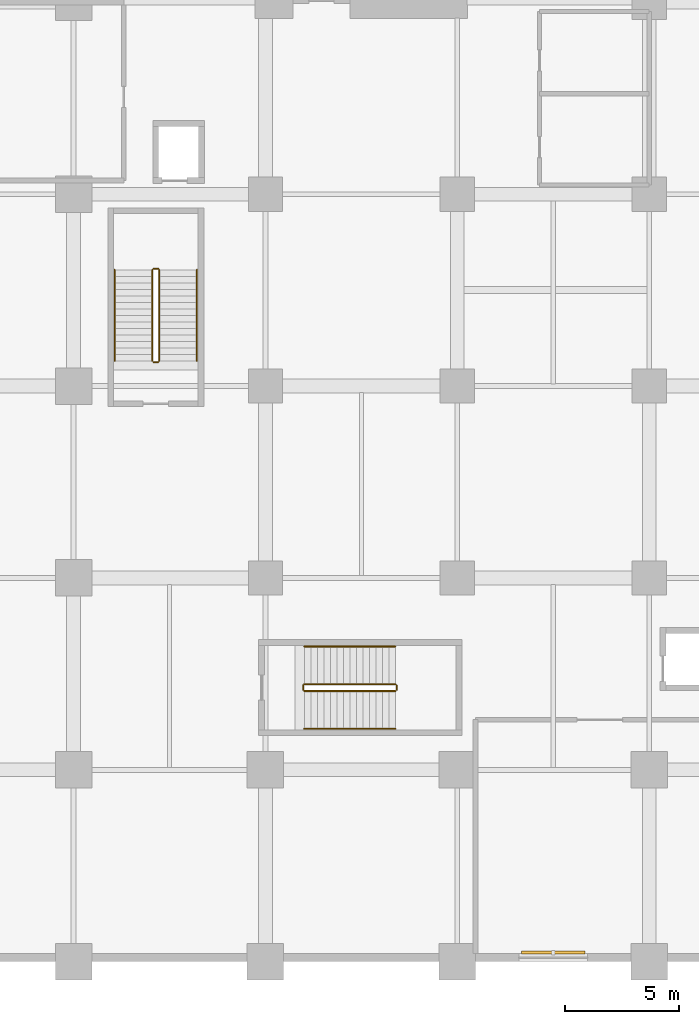
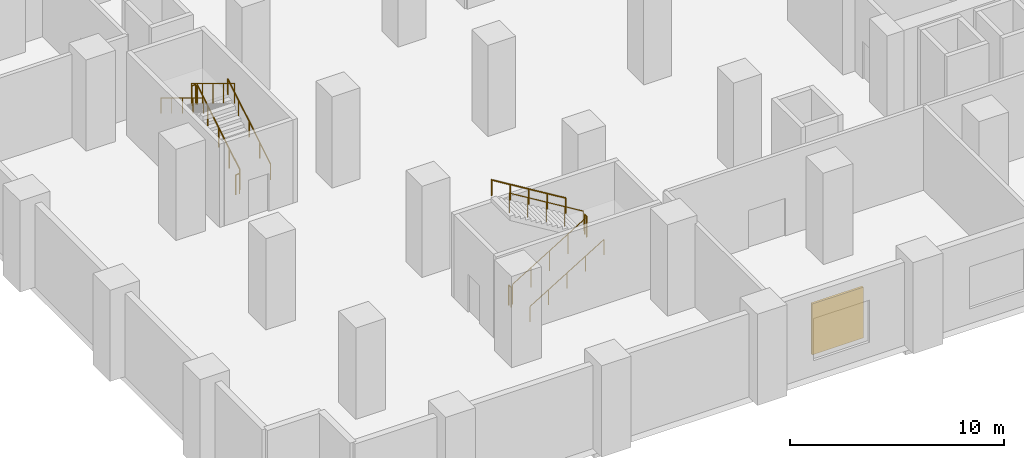
# One storey, part 20 of 23: 12 railings, 1 shading device.
"""IFC4 building model written with IfcOpenShell, lengths in metres."""

from ifc_helpers import new_model, si_unit, direction, frame, origin, origin_2d, place, context, subcontext, project, spatial, rectangle, circle, extrude, material, layer, layer_set, type_object, element, save


model = new_model("IFC4")

# Units and contexts
model_context = context("Model", 3, precision=1e-05, world=origin(), true_north=direction((0.0, 1.0)))
body_context = subcontext(model_context, "Body", "Model", "MODEL_VIEW")
ifc_project = project(units=[si_unit("LENGTHUNIT", "METRE"), si_unit("AREAUNIT", "SQUARE_METRE"), si_unit("VOLUMEUNIT", "CUBIC_METRE"), si_unit("PLANEANGLEUNIT", "RADIAN"), si_unit("MASSUNIT", "GRAM", prefix="KILO")], contexts=[model_context])

# Site, building, storey
site_placement = place(None, origin())
site = spatial("IfcSite", under=ifc_project, at=site_placement, CompositionType="ELEMENT")
building_placement = place(site_placement, origin())
building = spatial("IfcBuilding", under=site, at=building_placement, Name="Koriwani Terraces Tower", CompositionType="ELEMENT")
storey_placement = place(building_placement, frame((0.0, 0.0, 20.800048828125)))
storey = spatial("IfcBuildingStorey", under=building, at=storey_placement, Name="L04", CompositionType="ELEMENT", Elevation=20.800048828125)

# Railings
ifc_material_1 = material(Name="Steel ASTM A572 Grade 50", Category="steel")
railing_type_1 = type_object("IfcRailingType", Name="GUARD_STAIR_WELL_1120", PredefinedType="GUARDRAIL", material=ifc_material_1)
railing_1_placement = place(storey_placement, frame((12.14990234375, 26.300048828125, 0.17333984375)))
element("IfcRailing", 1, at=railing_1_placement, inside=storey, type_object=railing_type_1, Name="L04 ST-P1 stair guard 1", PredefinedType="GUARDRAIL", context=body_context, shape_type="SweptSolid", body=[
    extrude(circle(Radius=0.02392578125, at=origin_2d()), frame((0.0, 0.0, 1.1259765625), z_axis=(0.0, 0.854405443041, 0.519606908058), x_axis=(-1.0, 0.0, 0.0)), (0.0, 0.0, 1.0), 4.669921875),
    extrude(circle(Radius=0.02099609375, at=origin_2d()), origin(), (0.0, 0.0, 1.0), 1.101806640625),
    extrude(circle(Radius=0.02099609375, at=origin_2d()), frame((0.0, 0.99755859375, 0.606689453125)), (0.0, 0.0, 1.0), 1.101806640625),
    extrude(circle(Radius=0.02099609375, at=origin_2d()), frame((0.0, 1.9951171875, 1.21337890625)), (0.0, 0.0, 1.0), 1.101806640625),
    extrude(circle(Radius=0.02099609375, at=origin_2d()), frame((0.0, 2.992431640625, 1.81982421875)), (0.0, 0.0, 1.0), 1.101806640625),
    extrude(circle(Radius=0.02099609375, at=origin_2d()), frame((0.0, 3.989990234375, 2.426513671875)), (0.0, 0.0, 1.0), 1.101806640625),
])
railing_2_placement = place(storey_placement, frame((12.10009765625, 30.340087890625, 2.599853515625)))
element("IfcRailing", 2, at=railing_2_placement, inside=storey, type_object=railing_type_1, Name="L04 ST-P1 stair guard 2", PredefinedType="GUARDRAIL", context=body_context, shape_type="SweptSolid", body=[
    extrude(circle(Radius=0.02392578125, at=origin_2d()), frame((0.0, 0.0, 1.1259765625), z_axis=(-1.0, 0.0, 0.0), x_axis=(0.0, -1.0, 0.0)), (0.0, 0.0, 1.0), 0.2001953125),
    extrude(circle(Radius=0.02099609375, at=origin_2d()), origin(), (0.0, 0.0, 1.0), 1.101806640625),
    extrude(circle(Radius=0.02099609375, at=origin_2d()), frame((-0.2001953125, 0.0, 0.0)), (0.0, 0.0, 1.0), 1.101806640625),
])
railing_3_placement = place(storey_placement, frame((11.85009765625, 30.2900390625, 2.773193359375)))
element("IfcRailing", 3, at=railing_3_placement, inside=storey, type_object=railing_type_1, Name="L04 ST-P1 stair guard 3", PredefinedType="GUARDRAIL", context=body_context, shape_type="SweptSolid", body=[
    extrude(circle(Radius=0.02392578125, at=origin_2d()), frame((0.0, 0.0, 1.1259765625), z_axis=(0.0, -0.854382233033, 0.519645071061), x_axis=(1.0, 0.0, 0.0)), (0.0, 0.0, 1.0), 4.669921875),
    extrude(circle(Radius=0.02099609375, at=origin_2d()), origin(), (0.0, 0.0, 1.0), 1.101806640625),
    extrude(circle(Radius=0.02099609375, at=origin_2d()), frame((0.0, -0.99755859375, 0.606689453125)), (0.0, 0.0, 1.0), 1.101806640625),
    extrude(circle(Radius=0.02099609375, at=origin_2d()), frame((0.0, -1.9951171875, 1.21337890625)), (0.0, 0.0, 1.0), 1.101806640625),
    extrude(circle(Radius=0.02099609375, at=origin_2d()), frame((0.0, -2.992431640625, 1.820068359375)), (0.0, 0.0, 1.0), 1.101806640625),
    extrude(circle(Radius=0.02099609375, at=origin_2d()), frame((0.0, -3.989990234375, 2.4267578125)), (0.0, 0.0, 1.0), 1.101806640625),
])
railing_4_placement = place(storey_placement, frame((12.10009765625, 26.25, 0.0)))
element("IfcRailing", 4, at=railing_4_placement, inside=storey, type_object=railing_type_1, Name="L04 ST-P1 stair guard 4", PredefinedType="GUARDRAIL", context=body_context, shape_type="SweptSolid", body=[
    extrude(circle(Radius=0.02392578125, at=origin_2d()), frame((0.0, 0.0, 1.1259765625), z_axis=(-1.0, 0.0, 0.0), x_axis=(0.0, -1.0, 0.0)), (0.0, 0.0, 1.0), 0.2001953125),
    extrude(circle(Radius=0.02099609375, at=origin_2d()), origin(), (0.0, 0.0, 1.0), 1.101806640625),
    extrude(circle(Radius=0.02099609375, at=origin_2d()), frame((-0.2001953125, 0.0, 0.0)), (0.0, 0.0, 1.0), 1.101806640625),
])
railing_5_placement = place(storey_placement, frame((18.5, 11.85009765625, 0.17333984375)))
element("IfcRailing", 5, at=railing_5_placement, inside=storey, type_object=railing_type_1, Name="L04 ST-P2 stair guard 1", PredefinedType="GUARDRAIL", context=body_context, shape_type="SweptSolid", body=[
    extrude(circle(Radius=0.02392578125, at=origin_2d()), frame((0.0, 0.0, 1.1259765625), z_axis=(0.854405443041, 0.0, 0.519606908058), x_axis=(0.0, 1.0, 0.0)), (0.0, 0.0, 1.0), 4.669921875),
    extrude(circle(Radius=0.02099609375, at=origin_2d()), origin(), (0.0, 0.0, 1.0), 1.101806640625),
    extrude(circle(Radius=0.02099609375, at=origin_2d()), frame((0.99755859375, 0.0, 0.606689453125)), (0.0, 0.0, 1.0), 1.101806640625),
    extrude(circle(Radius=0.02099609375, at=origin_2d()), frame((1.9951171875, 0.0, 1.21337890625)), (0.0, 0.0, 1.0), 1.101806640625),
    extrude(circle(Radius=0.02099609375, at=origin_2d()), frame((2.992431640625, 0.0, 1.81982421875)), (0.0, 0.0, 1.0), 1.101806640625),
    extrude(circle(Radius=0.02099609375, at=origin_2d()), frame((3.989990234375, 0.0, 2.426513671875)), (0.0, 0.0, 1.0), 1.101806640625),
])
railing_6_placement = place(storey_placement, frame((22.5400390625, 11.89990234375, 2.599853515625)))
element("IfcRailing", 6, at=railing_6_placement, inside=storey, type_object=railing_type_1, Name="L04 ST-P2 stair guard 2", PredefinedType="GUARDRAIL", context=body_context, shape_type="SweptSolid", body=[
    extrude(circle(Radius=0.02392578125, at=origin_2d()), frame((0.0, 0.0, 1.1259765625), z_axis=(0.0, 1.0, 0.0), x_axis=(-1.0, 0.0, 0.0)), (0.0, 0.0, 1.0), 0.2001953125),
    extrude(circle(Radius=0.02099609375, at=origin_2d()), origin(), (0.0, 0.0, 1.0), 1.101806640625),
    extrude(circle(Radius=0.02099609375, at=origin_2d()), frame((0.0, 0.2001953125, 0.0)), (0.0, 0.0, 1.0), 1.101806640625),
])
railing_7_placement = place(storey_placement, frame((22.489990234375, 12.14990234375, 2.773193359375)))
element("IfcRailing", 7, at=railing_7_placement, inside=storey, type_object=railing_type_1, Name="L04 ST-P2 stair guard 3", PredefinedType="GUARDRAIL", context=body_context, shape_type="SweptSolid", body=[
    extrude(circle(Radius=0.02392578125, at=origin_2d()), frame((0.0, 0.0, 1.1259765625), z_axis=(-0.854382233033, 0.0, 0.519645071061), x_axis=(0.0, -1.0, 0.0)), (0.0, 0.0, 1.0), 4.669921875),
    extrude(circle(Radius=0.02099609375, at=origin_2d()), origin(), (0.0, 0.0, 1.0), 1.101806640625),
    extrude(circle(Radius=0.02099609375, at=origin_2d()), frame((-0.99755859375, 0.0, 0.606689453125)), (0.0, 0.0, 1.0), 1.101806640625),
    extrude(circle(Radius=0.02099609375, at=origin_2d()), frame((-1.9951171875, 0.0, 1.21337890625)), (0.0, 0.0, 1.0), 1.101806640625),
    extrude(circle(Radius=0.02099609375, at=origin_2d()), frame((-2.992431640625, 0.0, 1.820068359375)), (0.0, 0.0, 1.0), 1.101806640625),
    extrude(circle(Radius=0.02099609375, at=origin_2d()), frame((-3.989990234375, 0.0, 2.4267578125)), (0.0, 0.0, 1.0), 1.101806640625),
])
railing_8_placement = place(storey_placement, frame((18.449951171875, 11.89990234375, 0.0)))
element("IfcRailing", 8, at=railing_8_placement, inside=storey, type_object=railing_type_1, Name="L04 ST-P2 stair guard 4", PredefinedType="GUARDRAIL", context=body_context, shape_type="SweptSolid", body=[
    extrude(circle(Radius=0.02392578125, at=origin_2d()), frame((0.0, 0.0, 1.1259765625), z_axis=(0.0, 1.0, 0.0), x_axis=(-1.0, 0.0, 0.0)), (0.0, 0.0, 1.0), 0.2001953125),
    extrude(circle(Radius=0.02099609375, at=origin_2d()), origin(), (0.0, 0.0, 1.0), 1.101806640625),
    extrude(circle(Radius=0.02099609375, at=origin_2d()), frame((0.0, 0.2001953125, 0.0)), (0.0, 0.0, 1.0), 1.101806640625),
])
railing_type_2 = type_object("IfcRailingType", Name="HANDRAIL_STAIR_920", PredefinedType="HANDRAIL", material=ifc_material_1)
railing_9_placement = place(storey_placement, frame((13.800048828125, 26.300048828125, 0.17333984375)))
element("IfcRailing", 9, at=railing_9_placement, inside=storey, type_object=railing_type_2, Name="L04 ST-P1 stair handrail 1", PredefinedType="HANDRAIL", context=body_context, shape_type="SweptSolid", body=[
    extrude(circle(Radius=0.02392578125, at=origin_2d()), frame((0.0, 0.0, 0.8759765625), z_axis=(0.0, 0.854405443041, 0.519606908058), x_axis=(-1.0, 0.0, 0.0)), (0.0, 0.0, 1.0), 4.669921875),
    extrude(circle(Radius=0.02099609375, at=origin_2d()), origin(), (0.0, 0.0, 1.0), 0.851806640625),
    extrude(circle(Radius=0.02099609375, at=origin_2d()), frame((0.0, 0.99755859375, 0.606689453125)), (0.0, 0.0, 1.0), 0.851806640625),
    extrude(circle(Radius=0.02099609375, at=origin_2d()), frame((0.0, 1.9951171875, 1.21337890625)), (0.0, 0.0, 1.0), 0.851806640625),
    extrude(circle(Radius=0.02099609375, at=origin_2d()), frame((0.0, 2.992431640625, 1.81982421875)), (0.0, 0.0, 1.0), 0.851806640625),
    extrude(circle(Radius=0.02099609375, at=origin_2d()), frame((0.0, 3.989990234375, 2.426513671875)), (0.0, 0.0, 1.0), 0.851806640625),
])
railing_10_placement = place(storey_placement, frame((10.199951171875, 30.2900390625, 2.773193359375)))
element("IfcRailing", 10, at=railing_10_placement, inside=storey, type_object=railing_type_2, Name="L04 ST-P1 stair handrail 2", PredefinedType="HANDRAIL", context=body_context, shape_type="SweptSolid", body=[
    extrude(circle(Radius=0.02392578125, at=origin_2d()), frame((0.0, 0.0, 0.8759765625), z_axis=(0.0, -0.854382233033, 0.519645071061), x_axis=(1.0, 0.0, 0.0)), (0.0, 0.0, 1.0), 4.669921875),
    extrude(circle(Radius=0.02099609375, at=origin_2d()), origin(), (0.0, 0.0, 1.0), 0.851806640625),
    extrude(circle(Radius=0.02099609375, at=origin_2d()), frame((0.0, -0.99755859375, 0.606689453125)), (0.0, 0.0, 1.0), 0.851806640625),
    extrude(circle(Radius=0.02099609375, at=origin_2d()), frame((0.0, -1.9951171875, 1.21337890625)), (0.0, 0.0, 1.0), 0.851806640625),
    extrude(circle(Radius=0.02099609375, at=origin_2d()), frame((0.0, -2.992431640625, 1.820068359375)), (0.0, 0.0, 1.0), 0.851806640625),
    extrude(circle(Radius=0.02099609375, at=origin_2d()), frame((0.0, -3.989990234375, 2.4267578125)), (0.0, 0.0, 1.0), 0.851806640625),
])
railing_11_placement = place(storey_placement, frame((18.5, 10.199951171875, 0.17333984375)))
element("IfcRailing", 11, at=railing_11_placement, inside=storey, type_object=railing_type_2, Name="L04 ST-P2 stair handrail 1", PredefinedType="HANDRAIL", context=body_context, shape_type="SweptSolid", body=[
    extrude(circle(Radius=0.02392578125, at=origin_2d()), frame((0.0, 0.0, 0.8759765625), z_axis=(0.854405443041, 0.0, 0.519606908058), x_axis=(0.0, 1.0, 0.0)), (0.0, 0.0, 1.0), 4.669921875),
    extrude(circle(Radius=0.02099609375, at=origin_2d()), origin(), (0.0, 0.0, 1.0), 0.851806640625),
    extrude(circle(Radius=0.02099609375, at=origin_2d()), frame((0.99755859375, 0.0, 0.606689453125)), (0.0, 0.0, 1.0), 0.851806640625),
    extrude(circle(Radius=0.02099609375, at=origin_2d()), frame((1.9951171875, 0.0, 1.21337890625)), (0.0, 0.0, 1.0), 0.851806640625),
    extrude(circle(Radius=0.02099609375, at=origin_2d()), frame((2.992431640625, 0.0, 1.81982421875)), (0.0, 0.0, 1.0), 0.851806640625),
    extrude(circle(Radius=0.02099609375, at=origin_2d()), frame((3.989990234375, 0.0, 2.426513671875)), (0.0, 0.0, 1.0), 0.851806640625),
])
railing_12_placement = place(storey_placement, frame((22.489990234375, 13.800048828125, 2.773193359375)))
element("IfcRailing", 12, at=railing_12_placement, inside=storey, type_object=railing_type_2, Name="L04 ST-P2 stair handrail 2", PredefinedType="HANDRAIL", context=body_context, shape_type="SweptSolid", body=[
    extrude(circle(Radius=0.02392578125, at=origin_2d()), frame((0.0, 0.0, 0.8759765625), z_axis=(-0.854382233033, 0.0, 0.519645071061), x_axis=(0.0, -1.0, 0.0)), (0.0, 0.0, 1.0), 4.669921875),
    extrude(circle(Radius=0.02099609375, at=origin_2d()), origin(), (0.0, 0.0, 1.0), 0.851806640625),
    extrude(circle(Radius=0.02099609375, at=origin_2d()), frame((-0.99755859375, 0.0, 0.606689453125)), (0.0, 0.0, 1.0), 0.851806640625),
    extrude(circle(Radius=0.02099609375, at=origin_2d()), frame((-1.9951171875, 0.0, 1.21337890625)), (0.0, 0.0, 1.0), 0.851806640625),
    extrude(circle(Radius=0.02099609375, at=origin_2d()), frame((-2.992431640625, 0.0, 1.820068359375)), (0.0, 0.0, 1.0), 0.851806640625),
    extrude(circle(Radius=0.02099609375, at=origin_2d()), frame((-3.989990234375, 0.0, 2.4267578125)), (0.0, 0.0, 1.0), 0.851806640625),
])

# Shading device
ifc_material_2 = material(Name="Extruded Terracotta Clay", Category="masonry")
ifc_layer = layer(ifc_material_2, 0.1201171875, Name="Extruded Terracotta Clay")
ifc_layer_set = layer_set([ifc_layer], Name="Extruded Terracotta Clay")
shading_device_type = type_object("IfcShadingDeviceType", Name="TERRACOTTA_BAGUETTE_SCREEN_2800", PredefinedType="USERDEFINED", material=ifc_layer_set)
shading_device_placement = place(storey_placement, frame((29.39990234375, 0.405029296875, 0.925048828125), z_axis=(0.0, 0.0, 1.0), x_axis=(-1.0, 0.0, 0.0)))
element("IfcShadingDevice", 13, at=shading_device_placement, inside=storey, type_object=shading_device_type, Name="L04 Extruded Terracotta Baguette Screen (S-9)", ObjectType="BAGUETTE", PredefinedType="USERDEFINED", context=body_context, shape_type="SweptSolid", body=[
    extrude(rectangle(XDim=2.760009765625, YDim=0.1201171875, at=origin_2d()), origin(), (0.0, 0.0, 1.0), 2.89990234375),
])

save(model, "model.ifc")
